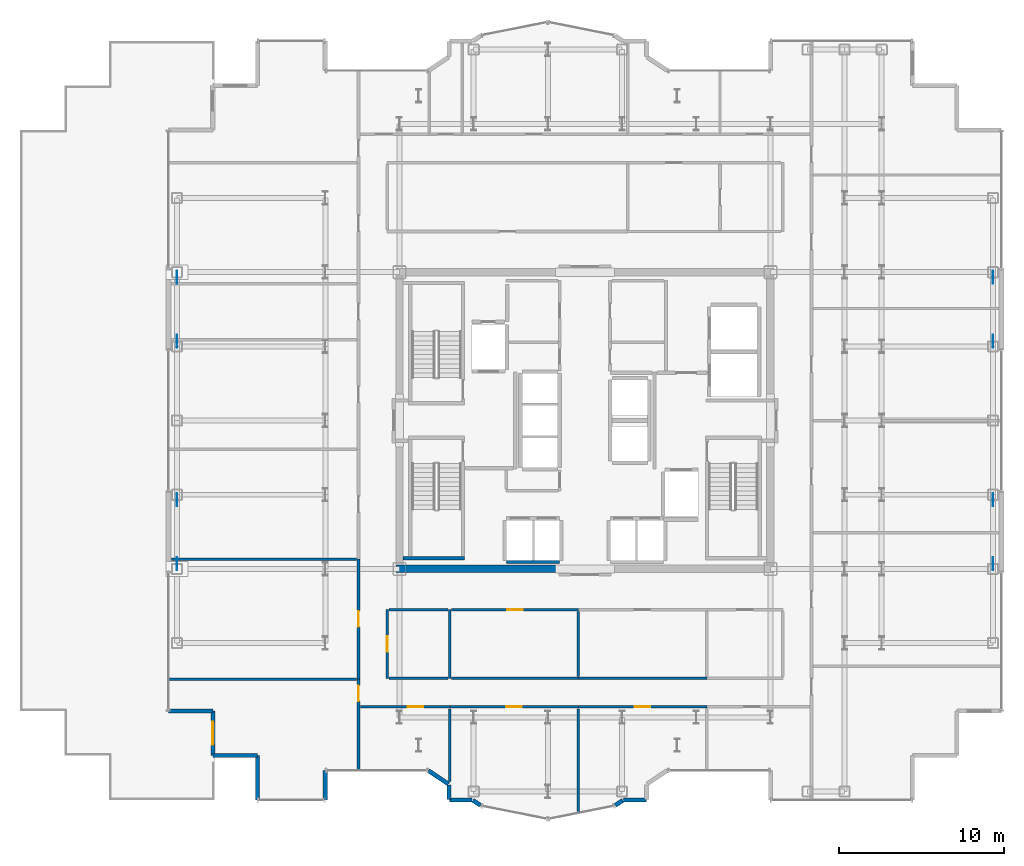
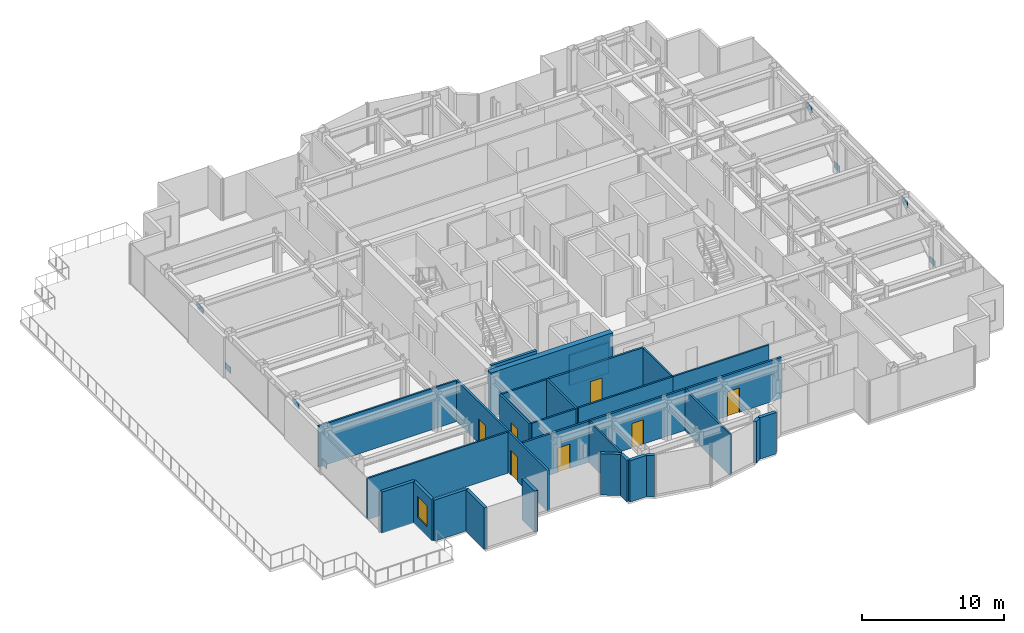
# One storey, part 13 of 21: 31 walls, 8 plates, 7 doors, 1 window, 8 openings.
"""IFC4 building model written with IfcOpenShell, lengths in metres."""

from ifc_helpers import new_model, si_unit, direction, frame, frame_2d, origin, origin_2d, place, context, subcontext, project, spatial, rectangle, extrude, source, transform, mapped, material, layer, layer_set, type_object, element, fill, save


model = new_model("IFC4")

# Units and contexts
model_context = context("Model", 3, precision=1e-05, world=origin(), true_north=direction((0.0, 1.0)))
body_context = subcontext(model_context, "Body", "Model", "MODEL_VIEW")
ifc_project = project(units=[si_unit("LENGTHUNIT", "METRE"), si_unit("AREAUNIT", "SQUARE_METRE"), si_unit("VOLUMEUNIT", "CUBIC_METRE"), si_unit("PLANEANGLEUNIT", "RADIAN"), si_unit("MASSUNIT", "GRAM", prefix="KILO")], contexts=[model_context])

# Site, building, storey
site_placement = place(None, origin())
site = spatial("IfcSite", under=ifc_project, at=site_placement, CompositionType="ELEMENT")
building_placement = place(site_placement, origin())
building = spatial("IfcBuilding", under=site, at=building_placement, Name="Nefas-Gora Pilgrimage Tower", CompositionType="ELEMENT")
storey_placement = place(building_placement, frame((0.0, 0.0, 206.60009765625)))
storey = spatial("IfcBuildingStorey", under=building, at=storey_placement, Name="L51", CompositionType="ELEMENT", Elevation=206.60009765625)

# Plates
ifc_material_1 = material(Name="Steel S460", Category="steel")
ifc_layer_1 = layer(ifc_material_1, 0.050048828125)
ifc_layer_set_1 = layer_set([ifc_layer_1], Name="Steel S460")
plate_type = type_object("IfcPlateType", Name="PLT-NODE-N08", PredefinedType="USERDEFINED", material=ifc_layer_set_1)
shared_shape_1 = source(origin(), body_context, "Body", "SweptSolid", [
    extrude(rectangle(XDim=0.780029296875, YDim=0.0380859375, at=origin_2d()), origin(), (0.0, 0.0, 1.0), 0.5400390625),
])
for number, where, z_axis, x_axis, name in (
    (1, (-24.75, -8.68701171875, 0.10400390625), (0.0, 0.0, 1.0), (0.0, 1.0, 0.0), "Structural Node Gusset Plate N08 (L51)"),
    (2, (-24.75, -4.81298828125, 2.8759765625), (0.0, 0.0, 1.0), (0.0, 1.0, 0.0), "Structural Node Gusset Plate N08 (L51)"),
    (3, (-24.75, 4.81298828125, 0.10400390625), (0.0, 0.0, 1.0), (0.0, 1.0, 0.0), "Structural Node Gusset Plate N08 (L51)"),
    (4, (-24.75, 8.68701171875, 2.8759765625), (0.0, 0.0, 1.0), (0.0, 1.0, 0.0), "Structural Node Gusset Plate N08 (L51)"),
    (5, (24.75, -8.68701171875, 0.10400390625), (0.0, 0.0, 1.0), (0.0, 1.0, 0.0), "Structural Node Gusset Plate N08 (L51)"),
    (6, (24.75, -4.81298828125, 2.8759765625), (0.0, 0.0, 1.0), (0.0, 1.0, 0.0), "Structural Node Gusset Plate N08 (L51)"),
    (7, (24.75, 4.81298828125, 0.10400390625), (0.0, 0.0, 1.0), (0.0, 1.0, 0.0), "Structural Node Gusset Plate N08 (L51)"),
    (8, (24.75, 8.68701171875, 2.8759765625), (0.0, 0.0, 1.0), (0.0, 1.0, 0.0), "Structural Node Gusset Plate N08 (L51)"),
):
    element("IfcPlate", number, at=place(storey_placement, frame(where, z_axis=z_axis, x_axis=x_axis)), inside=storey, type_object=plate_type, Name=name, ObjectType="GUSSET_PLATE", PredefinedType="USERDEFINED", context=body_context, shape_type="MappedRepresentation", body=[
        mapped(shared_shape_1, transform((0.0, 0.0, 0.0), x_axis=(1.0, 0.0, 0.0), y_axis=(0.0, 1.0, 0.0), z_axis=(0.0, 0.0, 1.0), scale=1.0)),
    ])

# Walls
ifc_material_2 = material(Name="Concrete C50/60", Category="concrete")
ifc_layer_2 = layer(ifc_material_2, 0.449951171875)
ifc_layer_set_2 = layer_set([ifc_layer_2], Name="Concrete C50/60")
wall_type_1 = type_object("IfcWallType", Name="SW-CORE-450", PredefinedType="SHEAR", material=ifc_layer_set_2)
shared_shape_2 = source(origin(), body_context, "Body", "SweptSolid", [
    extrude(rectangle(XDim=9.925048828125, YDim=0.449951171875, at=frame_2d((4.96240234375, 0.0))), origin(), (0.0, 0.0, 1.0), 3.7998046875),
])
wall_1_placement = place(storey_placement, frame((-11.47509765625, -9.0, 0.0), z_axis=(0.0, 0.0, 1.0), x_axis=(1.0, 0.0, 0.0)))
element("IfcWall", 9, at=wall_1_placement, inside=storey, type_object=wall_type_1, Name="L51 Core Shear Wall S-West", PredefinedType="SHEAR", context=body_context, shape_type="MappedRepresentation", body=[
    mapped(shared_shape_2, transform((0.0, 0.0, 0.0), x_axis=(1.0, 0.0, 0.0), y_axis=(0.0, 1.0, 0.0), z_axis=(0.0, 0.0, 1.0), scale=1.0)),
])
ifc_material_3 = material(Name="Precast concrete C40/50", Category="concrete")
ifc_layer_3 = layer(ifc_material_3, 0.260009765625)
ifc_layer_set_3 = layer_set([ifc_layer_3], Name="Precast concrete C40/50")
wall_type_2 = type_object("IfcWallType", Name="EW-PORTAL-260", PredefinedType="SOLIDWALL", material=ifc_layer_set_3)
shared_shape_3 = source(origin(), body_context, "Body", "SweptSolid", [
    extrude(rectangle(XDim=1.800048828125, YDim=0.260009765625, at=frame_2d((0.89990234375, 0.0))), origin(), (0.0, 0.0, 1.0), 3.5498046875),
])
wall_2_placement = place(storey_placement, frame((-15.75, -23.02001953125, 0.0), z_axis=(0.0, 0.0, 1.0), x_axis=(0.0, 1.0, 0.0)))
element("IfcWall", 10, at=wall_2_placement, inside=storey, type_object=wall_type_2, Name="L51 Lobe Shoulder Precast Spandrel Pier 32", PredefinedType="SOLIDWALL", context=body_context, shape_type="MappedRepresentation", body=[
    mapped(shared_shape_3, transform((0.0, 0.0, 0.0), x_axis=(1.0, 0.0, 0.0), y_axis=(0.0, 1.0, 0.0), z_axis=(0.0, 0.0, 1.0), scale=1.0)),
])
ifc_material_4 = material(Name="Precast concrete C45/55", Category="concrete")
ifc_layer_4 = layer(ifc_material_4, 0.239990234375)
ifc_layer_set_4 = layer_set([ifc_layer_4], Name="Precast concrete C45/55")
wall_type_3 = type_object("IfcWallType", Name="EW-SERR-240", PredefinedType="SHEAR", material=ifc_layer_set_4)
shared_shape_4 = source(origin(), body_context, "Body", "SweptSolid", [
    extrude(rectangle(XDim=2.699951171875, YDim=0.239990234375, at=frame_2d((1.35009765625, 0.0))), origin(), (0.0, 0.0, 1.0), 3.5498046875),
])
wall_3_placement = place(storey_placement, frame((-25.27001953125, -17.6201171875, 0.0), z_axis=(0.0, 0.0, 1.0), x_axis=(1.0, 0.0, 0.0)))
element("IfcWall", 11, at=wall_3_placement, inside=storey, type_object=wall_type_3, Name="L51 Serrated Corner Shear Pier Wall 28", PredefinedType="SHEAR", context=body_context, shape_type="MappedRepresentation", body=[
    mapped(shared_shape_4, transform((0.0, 0.0, 0.0), x_axis=(1.0, 0.0, 0.0), y_axis=(0.0, 1.0, 0.0), z_axis=(0.0, 0.0, 1.0), scale=1.0)),
])

# Wall, opening, window
wall_4_placement = place(storey_placement, frame((-22.570068359375, -17.6201171875, 0.0), z_axis=(0.0, 0.0, 1.0), x_axis=(0.0, -1.0, 0.0)))
wall_4 = element("IfcWall", 12, at=wall_4_placement, inside=storey, type_object=wall_type_3, Name="L51 Serrated Corner Shear Pier Wall 29", PredefinedType="SHEAR", context=body_context, shape_type="MappedRepresentation", body=[
    mapped(shared_shape_4, transform((0.0, 0.0, 0.0), x_axis=(1.0, 0.0, 0.0), y_axis=(0.0, 1.0, 0.0), z_axis=(0.0, 0.0, 1.0), scale=1.0)),
])
opening_1_placement = place(wall_4_placement, frame((0.64990234375, 0.0, 0.85009765625)))
opening_1 = element("IfcOpeningElement", 13, at=opening_1_placement, cuts=wall_4, Name="Opening W-V2", PredefinedType="OPENING", context=body_context, shape_type="SweptSolid", body=[
    extrude(rectangle(XDim=1.39990234375, YDim=1.800048828125, at=frame_2d((0.699951171875, 0.89990234375))), frame((0.0, 0.1298828125, 0.0), z_axis=(0.0, -1.0, 0.0), x_axis=(1.0, 0.0, 0.0)), (0.0, 0.0, 1.0), 0.260009765625),
])
ifc_material_5 = material(Name="Dark ceramic-fritted operable aluminium-glass window", Category="aluminium")
window_type = type_object("IfcWindowType", Name="WIN-VENT-1400x1800", PartitioningType="SINGLE_PANEL", PredefinedType="WINDOW", material=ifc_material_5)
shared_shape_5 = source(origin(), body_context, "Body", "SweptSolid", [
    extrude(rectangle(XDim=1.39990234375, YDim=1.800048828125, at=frame_2d((0.699951171875, 0.89990234375))), frame((0.0, 0.030029296875, 0.0), z_axis=(0.0, -1.0, 0.0), x_axis=(1.0, 0.0, 0.0)), (0.0, 0.0, 1.0), 0.06005859375),
])
window_placement = place(opening_1_placement, origin())
window = element("IfcWindow", 14, at=window_placement, inside=storey, type_object=window_type, Name="L51 Operable Parallel-Outswing Window 29", OverallHeight=1.800048828125, OverallWidth=1.39990234375, PartitioningType="SINGLE_PANEL", PredefinedType="WINDOW", context=body_context, shape_type="MappedRepresentation", body=[
    mapped(shared_shape_5, transform((0.0, 0.0, 0.0), x_axis=(1.0, 0.0, 0.0), y_axis=(0.0, 1.0, 0.0), z_axis=(0.0, 0.0, 1.0), scale=1.0)),
])
fill(opening_1, window)

# Walls
for number, where, z_axis, x_axis, name in (
    (15, (-22.570068359375, -20.320068359375, 0.0), (0.0, 0.0, 1.0), (1.0, 0.0, 0.0), "L51 Serrated Corner Shear Pier Wall 30"),
    (16, (-19.8701171875, -20.320068359375, 0.0), (0.0, 0.0, 1.0), (0.0, -1.0, 0.0), "L51 Serrated Corner Shear Pier Wall 31"),
):
    element("IfcWall", number, at=place(storey_placement, frame(where, z_axis=z_axis, x_axis=x_axis)), inside=storey, type_object=wall_type_3, Name=name, PredefinedType="SHEAR", context=body_context, shape_type="MappedRepresentation", body=[
        mapped(shared_shape_4, transform((0.0, 0.0, 0.0), x_axis=(1.0, 0.0, 0.0), y_axis=(0.0, 1.0, 0.0), z_axis=(0.0, 0.0, 1.0), scale=1.0)),
    ])
shared_shape_6 = source(origin(), body_context, "Body", "SweptSolid", [
    extrude(rectangle(XDim=1.468994140625, YDim=0.260009765625, at=frame_2d((0.734375, 0.0))), origin(), (0.0, 0.0, 1.0), 3.5498046875),
])
wall_5_placement = place(storey_placement, frame((-9.49462890625, -21.235595703125, 0.0), z_axis=(0.0, 0.0, 1.0), x_axis=(0.831461760506, -0.555581983884, 0.0)))
element("IfcWall", 17, at=wall_5_placement, inside=storey, type_object=wall_type_2, Name="L51 Lobe Shoulder Precast Spandrel Pier 33", PredefinedType="SOLIDWALL", context=body_context, shape_type="MappedRepresentation", body=[
    mapped(shared_shape_6, transform((0.0, 0.0, 0.0), x_axis=(1.0, 0.0, 0.0), y_axis=(0.0, 1.0, 0.0), z_axis=(0.0, 0.0, 1.0), scale=1.0)),
])
shared_shape_7 = source(origin(), body_context, "Body", "SweptSolid", [
    extrude(rectangle(XDim=0.896728515625, YDim=0.260009765625, at=frame_2d((0.4482421875, 0.0))), origin(), (0.0, 0.0, 1.0), 3.5498046875),
])
wall_6_placement = place(storey_placement, frame((-8.25, -22.09521484375, 0.0), z_axis=(0.0, 0.0, 1.0), x_axis=(0.0, -1.0, 0.0)))
element("IfcWall", 18, at=wall_6_placement, inside=storey, type_object=wall_type_2, Name="L51 Lobe Shoulder Precast Spandrel Pier 34", PredefinedType="SOLIDWALL", context=body_context, shape_type="MappedRepresentation", body=[
    mapped(shared_shape_7, transform((0.0, 0.0, 0.0), x_axis=(1.0, 0.0, 0.0), y_axis=(0.0, 1.0, 0.0), z_axis=(0.0, 0.0, 1.0), scale=1.0)),
])
shared_shape_8 = source(origin(), body_context, "Body", "SweptSolid", [
    extrude(rectangle(XDim=1.369873046875, YDim=0.260009765625, at=frame_2d((0.68505859375, 0.0))), origin(), (0.0, 0.0, 1.0), 3.5498046875),
])
for number, where, z_axis, x_axis, name in (
    (19, (-8.221923828125, -23.02001953125, 0.0), (0.0, 0.0, 1.0), (1.0, 0.0, 0.0), "L51 Lobe Shoulder Precast Spandrel Pier 35"),
    (20, (2.35205078125, -23.02001953125, 0.0), (0.0, 0.0, 1.0), (1.0, 0.0, 0.0), "L51 Lobe Shoulder Precast Spandrel Pier 38"),
):
    element("IfcWall", number, at=place(storey_placement, frame(where, z_axis=z_axis, x_axis=x_axis)), inside=storey, type_object=wall_type_2, Name=name, PredefinedType="SOLIDWALL", context=body_context, shape_type="MappedRepresentation", body=[
        mapped(shared_shape_8, transform((0.0, 0.0, 0.0), x_axis=(1.0, 0.0, 0.0), y_axis=(0.0, 1.0, 0.0), z_axis=(0.0, 0.0, 1.0), scale=1.0)),
    ])
shared_shape_9 = source(origin(), body_context, "Body", "SweptSolid", [
    extrude(rectangle(XDim=0.5654296875, YDim=0.260009765625, at=frame_2d((0.28271484375, 0.0))), origin(), (0.0, 0.0, 1.0), 3.5498046875),
])
for number, where, z_axis, x_axis, name in (
    (21, (-6.80078125, -23.03564453125, 0.0), (0.0, 0.0, 1.0), (0.831651492666, -0.555297933317, 0.0), "L51 Lobe Shoulder Precast Spandrel Pier 36"),
    (22, (1.83056640625, -23.349609375, 0.0), (0.0, 0.0, 1.0), (0.831651492666, 0.555297933317, 0.0), "L51 Lobe Shoulder Precast Spandrel Pier 37"),
):
    element("IfcWall", number, at=place(storey_placement, frame(where, z_axis=z_axis, x_axis=x_axis)), inside=storey, type_object=wall_type_2, Name=name, PredefinedType="SOLIDWALL", context=body_context, shape_type="MappedRepresentation", body=[
        mapped(shared_shape_9, transform((0.0, 0.0, 0.0), x_axis=(1.0, 0.0, 0.0), y_axis=(0.0, 1.0, 0.0), z_axis=(0.0, 0.0, 1.0), scale=1.0)),
    ])
ifc_material_6 = material(Name="Concrete C45/55", Category="concrete")
ifc_layer_5 = layer(ifc_material_6, 0.199951171875)
ifc_layer_set_5 = layer_set([ifc_layer_5], Name="Concrete C45/55")
wall_type_4 = type_object("IfcWallType", Name="IW-STAIR-200", PredefinedType="SOLIDWALL", material=ifc_layer_set_5)
shared_shape_10 = source(origin(), body_context, "Body", "SweptSolid", [
    extrude(rectangle(XDim=3.72998046875, YDim=0.199951171875, at=frame_2d((1.864990234375, 0.0))), origin(), (0.0, 0.0, 1.0), 3.7998046875),
])
wall_7_placement = place(storey_placement, frame((-11.030029296875, -8.35009765625, 0.0), z_axis=(0.0, 0.0, 1.0), x_axis=(1.0, 0.0, 0.0)))
element("IfcWall", 23, at=wall_7_placement, inside=storey, type_object=wall_type_4, Name="L51 Stairwell Shear Wall ST-03-far", PredefinedType="SOLIDWALL", context=body_context, shape_type="MappedRepresentation", body=[
    mapped(shared_shape_10, transform((0.0, 0.0, 0.0), x_axis=(1.0, 0.0, 0.0), y_axis=(0.0, 1.0, 0.0), z_axis=(0.0, 0.0, 1.0), scale=1.0)),
])
ifc_material_7 = material(Name="Gypsum acoustic stud partition")
ifc_layer_6 = layer(ifc_material_7, 0.159912109375)
ifc_layer_set_6 = layer_set([ifc_layer_6], Name="Gypsum acoustic stud partition")
wall_type_5 = type_object("IfcWallType", Name="IW-CORR-160", PredefinedType="PARTITIONING", material=ifc_layer_set_6)
shared_shape_11 = source(origin(), body_context, "Body", "SweptSolid", [
    extrude(rectangle(XDim=3.199951171875, YDim=0.159912109375, at=frame_2d((1.60009765625, 0.0))), origin(), (0.0, 0.0, 1.0), 2.625),
])
wall_8_placement = place(storey_placement, frame((-4.75, -8.580078125, 0.0), z_axis=(0.0, 0.0, 1.0), x_axis=(1.0, 0.0, 0.0)))
element("IfcWall", 24, at=wall_8_placement, inside=storey, type_object=wall_type_5, Name="L51 Hoistway Wall PL2-W-S", PredefinedType="PARTITIONING", context=body_context, shape_type="MappedRepresentation", body=[
    mapped(shared_shape_11, transform((0.0, 0.0, 0.0), x_axis=(1.0, 0.0, 0.0), y_axis=(0.0, 1.0, 0.0), z_axis=(0.0, 0.0, 1.0), scale=1.0)),
])

# Wall, opening, door
shared_shape_12 = source(origin(), body_context, "Body", "SweptSolid", [
    extrude(rectangle(XDim=5.425048828125, YDim=0.159912109375, at=frame_2d((2.71240234375, 0.0))), origin(), (0.0, 0.0, 1.0), 3.534912109375),
])
wall_9_placement = place(storey_placement, frame((-13.6201171875, -17.3701171875, 0.0), z_axis=(0.0, 0.0, 1.0), x_axis=(1.0, 0.0, 0.0)))
wall_9 = element("IfcWall", 25, at=wall_9_placement, inside=storey, type_object=wall_type_5, Name="L51 Pilgrim Contemplative Lounge Partition Wall 72", PredefinedType="PARTITIONING", context=body_context, shape_type="MappedRepresentation", body=[
    mapped(shared_shape_12, transform((0.0, 0.0, 0.0), x_axis=(1.0, 0.0, 0.0), y_axis=(0.0, 1.0, 0.0), z_axis=(0.0, 0.0, 1.0), scale=1.0)),
])
opening_2_placement = place(wall_9_placement, frame((2.864013671875, 0.0, 0.0)))
opening_2 = element("IfcOpeningElement", 26, at=opening_2_placement, cuts=wall_9, Name="Opening ID-GR1", PredefinedType="OPENING", context=body_context, shape_type="SweptSolid", body=[
    extrude(rectangle(XDim=0.949951171875, YDim=2.10009765625, at=frame_2d((0.47509765625, 1.050048828125))), frame((0.0, 0.08984375, 0.0), z_axis=(0.0, -1.0, 0.0), x_axis=(1.0, 0.0, 0.0)), (0.0, 0.0, 1.0), 0.179931640625),
])
ifc_material_8 = material(Name="Solid core oak fire-rated guest entrance door")
door_type = type_object("IfcDoorType", Name="DR-INT-GUEST-950", OperationType="NOTDEFINED", PredefinedType="DOOR", material=ifc_material_8)
shared_shape_13 = source(origin(), body_context, "Body", "SweptSolid", [
    extrude(rectangle(XDim=0.949951171875, YDim=2.10009765625, at=frame_2d((0.47509765625, 1.050048828125))), frame((0.0, 0.02490234375, 0.0), z_axis=(0.0, -1.0, 0.0), x_axis=(1.0, 0.0, 0.0)), (0.0, 0.0, 1.0), 0.050048828125),
])
door_1_placement = place(opening_2_placement, origin())
door_1 = element("IfcDoor", 27, at=door_1_placement, inside=storey, type_object=door_type, Name="L51 Pilgrim Contemplative Lounge Door 33", OperationType="SINGLE_SWING_LEFT", OverallHeight=2.10009765625, OverallWidth=0.949951171875, PredefinedType="DOOR", context=body_context, shape_type="MappedRepresentation", body=[
    mapped(shared_shape_13, transform((0.0, 0.0, 0.0), x_axis=(1.0, 0.0, 0.0), y_axis=(0.0, 1.0, 0.0), z_axis=(0.0, 0.0, 1.0), scale=1.0)),
])
fill(opening_2, door_1)

# Wall
ifc_material_9 = material(Name="Gypsum twin-stud partition")
ifc_layer_7 = layer(ifc_material_9, 0.139892578125)
ifc_layer_set_7 = layer_set([ifc_layer_7], Name="Gypsum twin-stud partition")
wall_type_6 = type_object("IfcWallType", Name="IW-UNIT-140", PredefinedType="PARTITIONING", material=ifc_layer_set_7)
shared_shape_14 = source(origin(), body_context, "Body", "SweptSolid", [
    extrude(rectangle(XDim=11.429931640625, YDim=0.139892578125, at=frame_2d((5.71484375, 0.0))), origin(), (0.0, 0.0, 1.0), 3.534912109375),
])
wall_10_placement = place(storey_placement, frame((-25.2900390625, -15.697509765625, 0.0), z_axis=(0.0, 0.0, 1.0), x_axis=(1.0, 0.0, 0.0)))
element("IfcWall", 28, at=wall_10_placement, inside=storey, type_object=wall_type_6, Name="L51 Pilgrim Tea and Beverage Pantry Partition Wall 33", PredefinedType="PARTITIONING", context=body_context, shape_type="MappedRepresentation", body=[
    mapped(shared_shape_14, transform((0.0, 0.0, 0.0), x_axis=(1.0, 0.0, 0.0), y_axis=(0.0, 1.0, 0.0), z_axis=(0.0, 0.0, 1.0), scale=1.0)),
])

# Wall, opening, door
shared_shape_15 = source(origin(), body_context, "Body", "SweptSolid", [
    extrude(rectangle(XDim=7.29248046875, YDim=0.159912109375, at=frame_2d((3.646240234375, 0.0))), origin(), (0.0, 0.0, 1.0), 3.534912109375),
])
wall_11_placement = place(storey_placement, frame((-13.739990234375, -15.6875, 0.0), z_axis=(0.0, 0.0, 1.0), x_axis=(0.0, 1.0, 0.0)))
wall_11 = element("IfcWall", 29, at=wall_11_placement, inside=storey, type_object=wall_type_5, Name="L51 Pilgrim Tea and Beverage Pantry Partition Wall 34", PredefinedType="PARTITIONING", context=body_context, shape_type="MappedRepresentation", body=[
    mapped(shared_shape_15, transform((0.0, 0.0, 0.0), x_axis=(1.0, 0.0, 0.0), y_axis=(0.0, 1.0, 0.0), z_axis=(0.0, 0.0, 1.0), scale=1.0)),
])
opening_3_placement = place(wall_11_placement, frame((3.17138671875, 0.0, 0.0)))
opening_3 = element("IfcOpeningElement", 30, at=opening_3_placement, cuts=wall_11, Name="Opening ID-GR1", PredefinedType="OPENING", context=body_context, shape_type="SweptSolid", body=[
    extrude(rectangle(XDim=0.949951171875, YDim=2.10009765625, at=frame_2d((0.47509765625, 1.050048828125))), frame((0.0, 0.08984375, 0.0), z_axis=(0.0, -1.0, 0.0), x_axis=(1.0, 0.0, 0.0)), (0.0, 0.0, 1.0), 0.179931640625),
])
door_2_placement = place(opening_3_placement, origin())
door_2 = element("IfcDoor", 31, at=door_2_placement, inside=storey, type_object=door_type, Name="L51 Pilgrim Tea and Beverage Pantry Door 14", OperationType="SINGLE_SWING_RIGHT", OverallHeight=2.10009765625, OverallWidth=0.949951171875, PredefinedType="DOOR", context=body_context, shape_type="MappedRepresentation", body=[
    mapped(shared_shape_13, transform((0.0, 0.0, 0.0), x_axis=(1.0, 0.0, 0.0), y_axis=(0.0, 1.0, 0.0), z_axis=(0.0, 0.0, 1.0), scale=1.0)),
])
fill(opening_3, door_2)

# Walls
shared_shape_16 = source(origin(), body_context, "Body", "SweptSolid", [
    extrude(rectangle(XDim=11.219970703125, YDim=0.139892578125, at=frame_2d((5.60986328125, 0.0))), origin(), (0.0, 0.0, 1.0), 3.534912109375),
])
wall_12_placement = place(storey_placement, frame((-25.080078125, -8.405029296875, 0.0), z_axis=(0.0, 0.0, 1.0), x_axis=(1.0, 0.0, 0.0)))
element("IfcWall", 32, at=wall_12_placement, inside=storey, type_object=wall_type_6, Name="L51 Pilgrim Tea and Beverage Pantry Partition Wall 35", PredefinedType="PARTITIONING", context=body_context, shape_type="MappedRepresentation", body=[
    mapped(shared_shape_16, transform((0.0, 0.0, 0.0), x_axis=(1.0, 0.0, 0.0), y_axis=(0.0, 1.0, 0.0), z_axis=(0.0, 0.0, 1.0), scale=1.0)),
])
shared_shape_17 = source(origin(), body_context, "Body", "SweptSolid", [
    extrude(rectangle(XDim=3.929931640625, YDim=0.139892578125, at=frame_2d((1.96484375, 0.0))), origin(), (0.0, 0.0, 1.0), 3.534912109375),
])
wall_13_placement = place(storey_placement, frame((-0.405029296875, -15.52001953125, 0.0), z_axis=(0.0, 0.0, 1.0), x_axis=(0.0, 1.0, 0.0)))
element("IfcWall", 33, at=wall_13_placement, inside=storey, type_object=wall_type_6, Name="L51 Pilgrim Contemplative Lounge Partition Wall 82", PredefinedType="PARTITIONING", context=body_context, shape_type="MappedRepresentation", body=[
    mapped(shared_shape_17, transform((0.0, 0.0, 0.0), x_axis=(1.0, 0.0, 0.0), y_axis=(0.0, 1.0, 0.0), z_axis=(0.0, 0.0, 1.0), scale=1.0)),
])
shared_shape_18 = source(origin(), body_context, "Body", "SweptSolid", [
    extrude(rectangle(XDim=4.179931640625, YDim=0.139892578125, at=frame_2d((2.08984375, 0.0))), origin(), (0.0, 0.0, 1.0), 3.534912109375),
])
wall_14_placement = place(storey_placement, frame((-8.205078125, -15.639892578125, 0.0), z_axis=(0.0, 0.0, 1.0), x_axis=(0.0, 1.0, 0.0)))
element("IfcWall", 34, at=wall_14_placement, inside=storey, type_object=wall_type_6, Name="L51 Pilgrim Contemplative Lounge Partition Wall 75", PredefinedType="PARTITIONING", context=body_context, shape_type="MappedRepresentation", body=[
    mapped(shared_shape_18, transform((0.0, 0.0, 0.0), x_axis=(1.0, 0.0, 0.0), y_axis=(0.0, 1.0, 0.0), z_axis=(0.0, 0.0, 1.0), scale=1.0)),
])

# Wall, opening, door
shared_shape_19 = source(origin(), body_context, "Body", "SweptSolid", [
    extrude(rectangle(XDim=4.179931640625, YDim=0.159912109375, at=frame_2d((2.08984375, 0.0))), origin(), (0.0, 0.0, 1.0), 3.534912109375),
])
wall_15_placement = place(storey_placement, frame((-12.0, -15.639892578125, 0.0), z_axis=(0.0, 0.0, 1.0), x_axis=(0.0, 1.0, 0.0)))
wall_15 = element("IfcWall", 35, at=wall_15_placement, inside=storey, type_object=wall_type_5, Name="L51 Pilgrim Contemplative Lounge Partition Wall 74", PredefinedType="PARTITIONING", context=body_context, shape_type="MappedRepresentation", body=[
    mapped(shared_shape_19, transform((0.0, 0.0, 0.0), x_axis=(1.0, 0.0, 0.0), y_axis=(0.0, 1.0, 0.0), z_axis=(0.0, 0.0, 1.0), scale=1.0)),
])
opening_4_placement = place(wall_15_placement, frame((1.614990234375, 0.0, 0.0)))
opening_4 = element("IfcOpeningElement", 36, at=opening_4_placement, cuts=wall_15, Name="Opening ID-GR1", PredefinedType="OPENING", context=body_context, shape_type="SweptSolid", body=[
    extrude(rectangle(XDim=0.949951171875, YDim=2.10009765625, at=frame_2d((0.47509765625, 1.050048828125))), frame((0.0, 0.08984375, 0.0), z_axis=(0.0, -1.0, 0.0), x_axis=(1.0, 0.0, 0.0)), (0.0, 0.0, 1.0), 0.179931640625),
])
door_3_placement = place(opening_4_placement, origin())
door_3 = element("IfcDoor", 37, at=door_3_placement, inside=storey, type_object=door_type, Name="L51 Pilgrim Contemplative Lounge Door 34", OperationType="SINGLE_SWING_RIGHT", OverallHeight=2.10009765625, OverallWidth=0.949951171875, PredefinedType="DOOR", context=body_context, shape_type="MappedRepresentation", body=[
    mapped(shared_shape_13, transform((0.0, 0.0, 0.0), x_axis=(1.0, 0.0, 0.0), y_axis=(0.0, 1.0, 0.0), z_axis=(0.0, 0.0, 1.0), scale=1.0)),
])
fill(opening_4, door_3)

shared_shape_20 = source(origin(), body_context, "Body", "SweptSolid", [
    extrude(rectangle(XDim=5.552490234375, YDim=0.159912109375, at=frame_2d((2.7763671875, 0.0))), origin(), (0.0, 0.0, 1.0), 3.534912109375),
])
wall_16_placement = place(storey_placement, frame((-13.739990234375, -21.239990234375, 0.0), z_axis=(0.0, 0.0, 1.0), x_axis=(0.0, 1.0, 0.0)))
wall_16 = element("IfcWall", 38, at=wall_16_placement, inside=storey, type_object=wall_type_5, Name="L51 Pilgrim Tea and Beverage Pantry Partition Wall 32", PredefinedType="PARTITIONING", context=body_context, shape_type="MappedRepresentation", body=[
    mapped(shared_shape_20, transform((0.0, 0.0, 0.0), x_axis=(1.0, 0.0, 0.0), y_axis=(0.0, 1.0, 0.0), z_axis=(0.0, 0.0, 1.0), scale=1.0)),
])
opening_5_placement = place(wall_16_placement, frame((4.21630859375, 0.0, 0.0)))
opening_5 = element("IfcOpeningElement", 39, at=opening_5_placement, cuts=wall_16, Name="Opening ID-GR1", PredefinedType="OPENING", context=body_context, shape_type="SweptSolid", body=[
    extrude(rectangle(XDim=0.949951171875, YDim=2.10009765625, at=frame_2d((0.47509765625, 1.050048828125))), frame((0.0, 0.08984375, 0.0), z_axis=(0.0, -1.0, 0.0), x_axis=(1.0, 0.0, 0.0)), (0.0, 0.0, 1.0), 0.179931640625),
])
door_4_placement = place(opening_5_placement, origin())
door_4 = element("IfcDoor", 40, at=door_4_placement, inside=storey, type_object=door_type, Name="L51 Pilgrim Tea and Beverage Pantry Door 13", OperationType="SINGLE_SWING_LEFT", OverallHeight=2.10009765625, OverallWidth=0.949951171875, PredefinedType="DOOR", context=body_context, shape_type="MappedRepresentation", body=[
    mapped(shared_shape_13, transform((0.0, 0.0, 0.0), x_axis=(1.0, 0.0, 0.0), y_axis=(0.0, 1.0, 0.0), z_axis=(0.0, 0.0, 1.0), scale=1.0)),
])
fill(opening_5, door_4)

# Walls
shared_shape_21 = source(origin(), body_context, "Body", "SweptSolid", [
    extrude(rectangle(XDim=4.4052734375, YDim=0.139892578125, at=frame_2d((2.20263671875, 0.0))), origin(), (0.0, 0.0, 1.0), 3.534912109375),
])
wall_17_placement = place(storey_placement, frame((-8.205078125, -21.895263671875, 0.0), z_axis=(0.0, 0.0, 1.0), x_axis=(0.0, 1.0, 0.0)))
element("IfcWall", 41, at=wall_17_placement, inside=storey, type_object=wall_type_6, Name="L51 Pilgrim Contemplative Lounge Partition Wall 73", PredefinedType="PARTITIONING", context=body_context, shape_type="MappedRepresentation", body=[
    mapped(shared_shape_21, transform((0.0, 0.0, 0.0), x_axis=(1.0, 0.0, 0.0), y_axis=(0.0, 1.0, 0.0), z_axis=(0.0, 0.0, 1.0), scale=1.0)),
])
shared_shape_22 = source(origin(), body_context, "Body", "SweptSolid", [
    extrude(rectangle(XDim=3.56494140625, YDim=0.139892578125, at=frame_2d((1.782470703125, 0.0))), origin(), (0.0, 0.0, 1.0), 3.534912109375),
])
for number, where, z_axis, x_axis, name in (
    (42, (-11.8798828125, -11.469970703125, 0.0), (0.0, 0.0, 1.0), (1.0, 0.0, 0.0), "L51 Pilgrim Contemplative Lounge Partition Wall 76"),
    (43, (-11.8798828125, -15.6298828125, 0.0), (0.0, 0.0, 1.0), (1.0, 0.0, 0.0), "L51 Pilgrim Contemplative Lounge Partition Wall 77"),
):
    element("IfcWall", number, at=place(storey_placement, frame(where, z_axis=z_axis, x_axis=x_axis)), inside=storey, type_object=wall_type_6, Name=name, PredefinedType="PARTITIONING", context=body_context, shape_type="MappedRepresentation", body=[
        mapped(shared_shape_22, transform((0.0, 0.0, 0.0), x_axis=(1.0, 0.0, 0.0), y_axis=(0.0, 1.0, 0.0), z_axis=(0.0, 0.0, 1.0), scale=1.0)),
    ])

# Wall, opening, door
shared_shape_23 = source(origin(), body_context, "Body", "SweptSolid", [
    extrude(rectangle(XDim=7.81005859375, YDim=0.159912109375, at=frame_2d((3.905029296875, 0.0))), origin(), (0.0, 0.0, 1.0), 3.534912109375),
])
wall_18_placement = place(storey_placement, frame((-8.205078125, -17.3701171875, 0.0), z_axis=(0.0, 0.0, 1.0), x_axis=(1.0, 0.0, 0.0)))
wall_18 = element("IfcWall", 44, at=wall_18_placement, inside=storey, type_object=wall_type_5, Name="L51 Pilgrim Contemplative Lounge Partition Wall 78", PredefinedType="PARTITIONING", context=body_context, shape_type="MappedRepresentation", body=[
    mapped(shared_shape_23, transform((0.0, 0.0, 0.0), x_axis=(1.0, 0.0, 0.0), y_axis=(0.0, 1.0, 0.0), z_axis=(0.0, 0.0, 1.0), scale=1.0)),
])
opening_6_placement = place(wall_18_placement, frame((3.429931640625, 0.0, 0.0)))
opening_6 = element("IfcOpeningElement", 45, at=opening_6_placement, cuts=wall_18, Name="Opening ID-GR1", PredefinedType="OPENING", context=body_context, shape_type="SweptSolid", body=[
    extrude(rectangle(XDim=0.949951171875, YDim=2.10009765625, at=frame_2d((0.47509765625, 1.050048828125))), frame((0.0, 0.08984375, 0.0), z_axis=(0.0, -1.0, 0.0), x_axis=(1.0, 0.0, 0.0)), (0.0, 0.0, 1.0), 0.179931640625),
])
door_5_placement = place(opening_6_placement, origin())
door_5 = element("IfcDoor", 46, at=door_5_placement, inside=storey, type_object=door_type, Name="L51 Pilgrim Contemplative Lounge Door 35", OperationType="SINGLE_SWING_LEFT", OverallHeight=2.10009765625, OverallWidth=0.949951171875, PredefinedType="DOOR", context=body_context, shape_type="MappedRepresentation", body=[
    mapped(shared_shape_13, transform((0.0, 0.0, 0.0), x_axis=(1.0, 0.0, 0.0), y_axis=(0.0, 1.0, 0.0), z_axis=(0.0, 0.0, 1.0), scale=1.0)),
])
fill(opening_6, door_5)

wall_19_placement = place(storey_placement, frame((-0.405029296875, -17.3701171875, 0.0), z_axis=(0.0, 0.0, 1.0), x_axis=(1.0, 0.0, 0.0)))
wall_19 = element("IfcWall", 47, at=wall_19_placement, inside=storey, type_object=wall_type_5, Name="L51 Pilgrim Contemplative Lounge Partition Wall 83", PredefinedType="PARTITIONING", context=body_context, shape_type="MappedRepresentation", body=[
    mapped(shared_shape_23, transform((0.0, 0.0, 0.0), x_axis=(1.0, 0.0, 0.0), y_axis=(0.0, 1.0, 0.0), z_axis=(0.0, 0.0, 1.0), scale=1.0)),
])
opening_7_placement = place(wall_19_placement, frame((3.429931640625, 0.0, 0.0)))
opening_7 = element("IfcOpeningElement", 48, at=opening_7_placement, cuts=wall_19, Name="Opening ID-GR1", PredefinedType="OPENING", context=body_context, shape_type="SweptSolid", body=[
    extrude(rectangle(XDim=0.949951171875, YDim=2.10009765625, at=frame_2d((0.47509765625, 1.050048828125))), frame((0.0, 0.08984375, 0.0), z_axis=(0.0, -1.0, 0.0), x_axis=(1.0, 0.0, 0.0)), (0.0, 0.0, 1.0), 0.179931640625),
])
door_6_placement = place(opening_7_placement, origin())
door_6 = element("IfcDoor", 49, at=door_6_placement, inside=storey, type_object=door_type, Name="L51 Pilgrim Contemplative Lounge Door 37", OperationType="SINGLE_SWING_LEFT", OverallHeight=2.10009765625, OverallWidth=0.949951171875, PredefinedType="DOOR", context=body_context, shape_type="MappedRepresentation", body=[
    mapped(shared_shape_13, transform((0.0, 0.0, 0.0), x_axis=(1.0, 0.0, 0.0), y_axis=(0.0, 1.0, 0.0), z_axis=(0.0, 0.0, 1.0), scale=1.0)),
])
fill(opening_7, door_6)

# Wall
shared_shape_24 = source(origin(), body_context, "Body", "SweptSolid", [
    extrude(rectangle(XDim=6.335693359375, YDim=0.139892578125, at=frame_2d((3.16796875, 0.0))), origin(), (0.0, 0.0, 1.0), 3.534912109375),
])
wall_20_placement = place(storey_placement, frame((-0.405029296875, -23.82568359375, 0.0), z_axis=(0.0, 0.0, 1.0), x_axis=(0.0, 1.0, 0.0)))
element("IfcWall", 50, at=wall_20_placement, inside=storey, type_object=wall_type_6, Name="L51 Pilgrim Contemplative Lounge Partition Wall 79", PredefinedType="PARTITIONING", context=body_context, shape_type="MappedRepresentation", body=[
    mapped(shared_shape_24, transform((0.0, 0.0, 0.0), x_axis=(1.0, 0.0, 0.0), y_axis=(0.0, 1.0, 0.0), z_axis=(0.0, 0.0, 1.0), scale=1.0)),
])

# Wall, opening, door
shared_shape_25 = source(origin(), body_context, "Body", "SweptSolid", [
    extrude(rectangle(XDim=7.699951171875, YDim=0.159912109375, at=frame_2d((3.85009765625, 0.0))), origin(), (0.0, 0.0, 1.0), 3.534912109375),
])
wall_21_placement = place(storey_placement, frame((-8.094970703125, -11.469970703125, 0.0), z_axis=(0.0, 0.0, 1.0), x_axis=(1.0, 0.0, 0.0)))
wall_21 = element("IfcWall", 51, at=wall_21_placement, inside=storey, type_object=wall_type_5, Name="L51 Pilgrim Contemplative Lounge Partition Wall 80", PredefinedType="PARTITIONING", context=body_context, shape_type="MappedRepresentation", body=[
    mapped(shared_shape_25, transform((0.0, 0.0, 0.0), x_axis=(1.0, 0.0, 0.0), y_axis=(0.0, 1.0, 0.0), z_axis=(0.0, 0.0, 1.0), scale=1.0)),
])
opening_8_placement = place(wall_21_placement, frame((3.375, 0.0, 0.0)))
opening_8 = element("IfcOpeningElement", 52, at=opening_8_placement, cuts=wall_21, Name="Opening ID-GR1", PredefinedType="OPENING", context=body_context, shape_type="SweptSolid", body=[
    extrude(rectangle(XDim=0.949951171875, YDim=2.10009765625, at=frame_2d((0.47509765625, 1.050048828125))), frame((0.0, 0.08984375, 0.0), z_axis=(0.0, -1.0, 0.0), x_axis=(1.0, 0.0, 0.0)), (0.0, 0.0, 1.0), 0.179931640625),
])
door_7_placement = place(opening_8_placement, origin())
door_7 = element("IfcDoor", 53, at=door_7_placement, inside=storey, type_object=door_type, Name="L51 Pilgrim Contemplative Lounge Door 36", OperationType="SINGLE_SWING_RIGHT", OverallHeight=2.10009765625, OverallWidth=0.949951171875, PredefinedType="DOOR", context=body_context, shape_type="MappedRepresentation", body=[
    mapped(shared_shape_13, transform((0.0, 0.0, 0.0), x_axis=(1.0, 0.0, 0.0), y_axis=(0.0, 1.0, 0.0), z_axis=(0.0, 0.0, 1.0), scale=1.0)),
])
fill(opening_8, door_7)

# Walls
shared_shape_26 = source(origin(), body_context, "Body", "SweptSolid", [
    extrude(rectangle(XDim=7.699951171875, YDim=0.139892578125, at=frame_2d((3.85009765625, 0.0))), origin(), (0.0, 0.0, 1.0), 3.534912109375),
])
wall_22_placement = place(storey_placement, frame((-8.094970703125, -15.6298828125, 0.0), z_axis=(0.0, 0.0, 1.0), x_axis=(1.0, 0.0, 0.0)))
element("IfcWall", 54, at=wall_22_placement, inside=storey, type_object=wall_type_6, Name="L51 Pilgrim Contemplative Lounge Partition Wall 81", PredefinedType="PARTITIONING", context=body_context, shape_type="MappedRepresentation", body=[
    mapped(shared_shape_26, transform((0.0, 0.0, 0.0), x_axis=(1.0, 0.0, 0.0), y_axis=(0.0, 1.0, 0.0), z_axis=(0.0, 0.0, 1.0), scale=1.0)),
])
shared_shape_27 = source(origin(), body_context, "Body", "SweptSolid", [
    extrude(rectangle(XDim=7.81005859375, YDim=0.139892578125, at=frame_2d((3.905029296875, 0.0))), origin(), (0.0, 0.0, 1.0), 3.534912109375),
])
wall_23_placement = place(storey_placement, frame((-0.405029296875, -15.6298828125, 0.0), z_axis=(0.0, 0.0, 1.0), x_axis=(1.0, 0.0, 0.0)))
element("IfcWall", 55, at=wall_23_placement, inside=storey, type_object=wall_type_6, Name="L51 Pilgrim Contemplative Lounge Partition Wall 86", PredefinedType="PARTITIONING", context=body_context, shape_type="MappedRepresentation", body=[
    mapped(shared_shape_27, transform((0.0, 0.0, 0.0), x_axis=(1.0, 0.0, 0.0), y_axis=(0.0, 1.0, 0.0), z_axis=(0.0, 0.0, 1.0), scale=1.0)),
])

save(model, "model.ifc")
